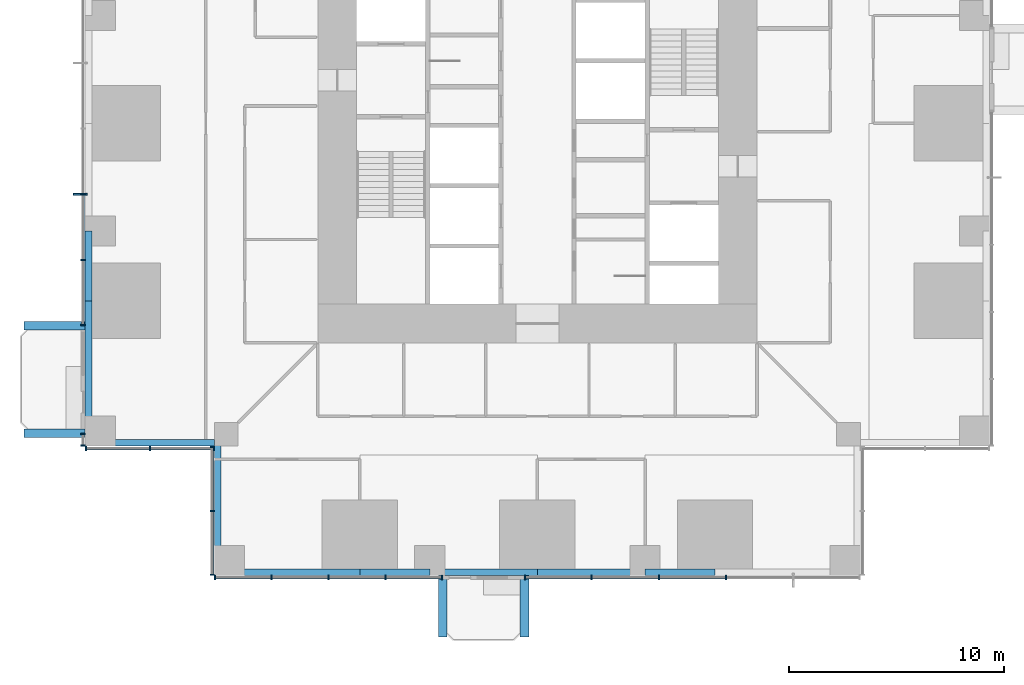
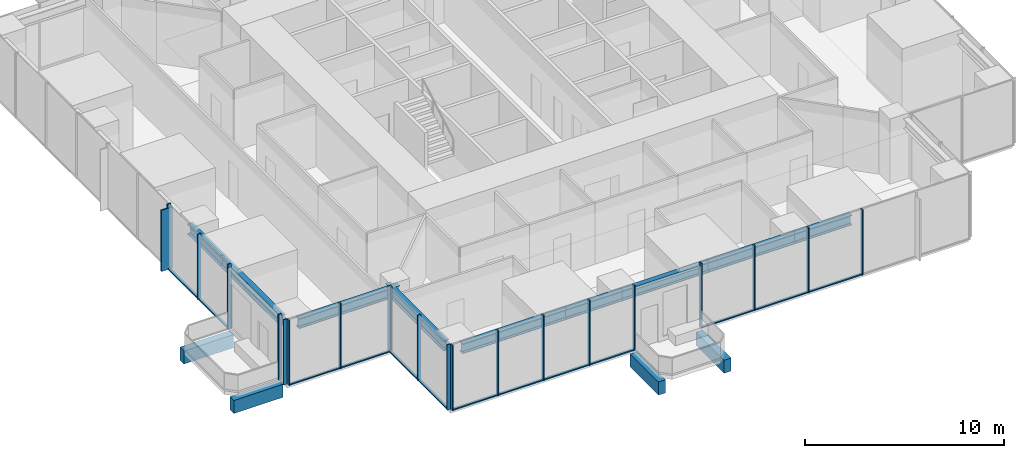
# One storey, part 2 of 18: 34 members, 13 beams, 6 elements without a shape of their own.
"""IFC4 building model written with IfcOpenShell, lengths in metres."""

from ifc_helpers import new_model, si_unit, direction, frame, origin, origin_2d, place, context, subcontext, project, spatial, rectangle, i_section, extrude, material, material_profile, profile_set, type_object, element, aggregate, save


model = new_model("IFC4")

# Units and contexts
model_context = context("Model", 3, precision=1e-05, world=origin(), true_north=direction((0.0, 1.0)))
body_context = subcontext(model_context, "Body", "Model", "MODEL_VIEW")
ifc_project = project(units=[si_unit("LENGTHUNIT", "METRE"), si_unit("AREAUNIT", "SQUARE_METRE"), si_unit("VOLUMEUNIT", "CUBIC_METRE"), si_unit("PLANEANGLEUNIT", "RADIAN"), si_unit("MASSUNIT", "GRAM", prefix="KILO")], contexts=[model_context])

# Site, building, storey
site_placement = place(None, origin())
site = spatial("IfcSite", under=ifc_project, at=site_placement, CompositionType="ELEMENT")
building_placement = place(site_placement, origin())
building = spatial("IfcBuilding", under=site, at=building_placement, Name="Svetlomir Tower", CompositionType="ELEMENT")
storey_placement = place(building_placement, frame((0.0, 0.0, 46.5)))
storey = spatial("IfcBuildingStorey", under=building, at=storey_placement, Name="L10", CompositionType="ELEMENT", Elevation=46.5)

# Beams
ifc_material_1 = material(Name="Concrete C60/75", Category="concrete")
ifc_material_profile_1 = material_profile(ifc_material_1, rectangle(XDim=0.39990234375, YDim=0.800048828125, at=origin_2d()), Name="RC 400x800")
ifc_profile_set_1 = profile_set([ifc_material_profile_1], Name="Concrete C60/75")
beam_type_1 = type_object("IfcBeamType", Name="BALCONY RIB RC 400x800", PredefinedType="BEAM", material=ifc_profile_set_1)
for number, where, z_axis, x_axis, name in (
    (1, (16.60009765625, 0.0, -0.64990234375), (0.0, -1.0, 0.0), (1.0, 0.0, 0.0), "Balcony rib S 1 L10"),
    (2, (20.39990234375, 0.0, -0.64990234375), (0.0, -1.0, 0.0), (1.0, 0.0, 0.0), "Balcony rib S 2 L10"),
    (3, (0.0, 6.60009765625, -0.64990234375), (-1.0, 0.0, 0.0), (0.0, -1.0, 0.0), "Balcony rib W 1 L10"),
    (4, (0.0, 11.60009765625, -0.64990234375), (-1.0, 0.0, 0.0), (0.0, -1.0, 0.0), "Balcony rib W 2 L10"),
):
    element("IfcBeam", number, at=place(storey_placement, frame(where, z_axis=z_axis, x_axis=x_axis)), inside=storey, type_object=beam_type_1, Name=name, PredefinedType="BEAM", context=body_context, shape_type="SweptSolid", body=[
        extrude(rectangle(XDim=0.39990234375, YDim=0.800048828125, at=origin_2d()), origin(), (0.0, 0.0, 1.0), 2.85009765625),
    ])

# Curtain wall, member
ifc_material_2 = material(Name="Bronze anodised aluminium curtain wall", Category="aluminium")
curtain_wall_type = type_object("IfcCurtainWallType", Name="CURTAIN WALL CW1 TOWER OFFICE", PredefinedType="NOTDEFINED", material=ifc_material_2)
curtain_wall_1_placement = place(storey_placement, origin())
curtain_wall_1 = element("IfcCurtainWall", 5, at=curtain_wall_1_placement, inside=storey, type_object=curtain_wall_type, Name="Curtain wall CW1 L10", PredefinedType="NOTDEFINED")
ifc_material_3 = material(Name="Bronze anodised aluminium", Category="aluminium")
ifc_material_profile_2 = material_profile(ifc_material_3, rectangle(XDim=0.080078125, YDim=0.64990234375, at=origin_2d()), Name="FIN 80x650")
ifc_profile_set_2 = profile_set([ifc_material_profile_2], Name="Bronze anodised aluminium 6063-T6")
member_type_1 = type_object("IfcMemberType", Name="BRONZE FIN 80x650", PredefinedType="USERDEFINED", material=ifc_profile_set_2)
member_1_placement = place(storey_placement, frame((-0.22509765625, 17.699951171875, 0.0), z_axis=(0.0, 0.0, 1.0), x_axis=(0.0, 1.0, 0.0)))
member_1 = element("IfcMember", 6, at=member_1_placement, type_object=member_type_1, Name="Bronze fin L10", ObjectType="FIN", PredefinedType="USERDEFINED", context=body_context, shape_type="SweptSolid", body=[
    extrude(rectangle(XDim=0.080078125, YDim=0.64990234375, at=origin_2d()), origin(), (0.0, 0.0, 1.0), 3.75),
])

# Curtain wall, members
curtain_wall_2_placement = place(storey_placement, origin())
curtain_wall_2 = element("IfcCurtainWall", 7, at=curtain_wall_2_placement, inside=storey, type_object=curtain_wall_type, Name="Curtain wall CW1 L10", PredefinedType="NOTDEFINED")
ifc_material_4 = material(Name="Bronze anodised aluminium", Category="aluminium")
ifc_material_profile_3 = material_profile(ifc_material_4, rectangle(XDim=0.06494140625, YDim=0.199951171875, at=origin_2d()), Name="AL 65x200")
ifc_profile_set_3 = profile_set([ifc_material_profile_3], Name="Bronze anodised aluminium 6063-T6")
member_type_2 = type_object("IfcMemberType", Name="CW1 MULLION 65x200", PredefinedType="MULLION", material=ifc_profile_set_3)
member_2_placement = place(storey_placement, frame((6.032470703125, -0.10009765625, 0.0), z_axis=(0.0, 0.0, 1.0), x_axis=(1.0, 0.0, 0.0)))
member_2 = element("IfcMember", 8, at=member_2_placement, type_object=member_type_2, Name="CW1 mullion 1", PredefinedType="MULLION", context=body_context, shape_type="SweptSolid", body=[
    extrude(rectangle(XDim=0.06494140625, YDim=0.199951171875, at=origin_2d()), origin(), (0.0, 0.0, 1.0), 4.0),
])
member_3_placement = place(storey_placement, frame((8.64990234375, -0.10009765625, 0.0), z_axis=(0.0, 0.0, 1.0), x_axis=(1.0, 0.0, 0.0)))
member_3 = element("IfcMember", 9, at=member_3_placement, type_object=member_type_2, Name="CW1 mullion 2", PredefinedType="MULLION", context=body_context, shape_type="SweptSolid", body=[
    extrude(rectangle(XDim=0.06494140625, YDim=0.199951171875, at=origin_2d()), origin(), (0.0, 0.0, 1.0), 4.0),
])
member_4_placement = place(storey_placement, frame((11.300048828125, -0.10009765625, 0.0), z_axis=(0.0, 0.0, 1.0), x_axis=(1.0, 0.0, 0.0)))
member_4 = element("IfcMember", 10, at=member_4_placement, type_object=member_type_2, Name="CW1 mullion 3", PredefinedType="MULLION", context=body_context, shape_type="SweptSolid", body=[
    extrude(rectangle(XDim=0.06494140625, YDim=0.199951171875, at=origin_2d()), origin(), (0.0, 0.0, 1.0), 4.0),
])
member_5_placement = place(storey_placement, frame((13.949951171875, -0.10009765625, 0.0), z_axis=(0.0, 0.0, 1.0), x_axis=(1.0, 0.0, 0.0)))
member_5 = element("IfcMember", 11, at=member_5_placement, type_object=member_type_2, Name="CW1 mullion 4", PredefinedType="MULLION", context=body_context, shape_type="SweptSolid", body=[
    extrude(rectangle(XDim=0.06494140625, YDim=0.199951171875, at=origin_2d()), origin(), (0.0, 0.0, 1.0), 4.0),
])
member_6_placement = place(storey_placement, frame((16.5673828125, -0.10009765625, 0.0), z_axis=(0.0, 0.0, 1.0), x_axis=(1.0, 0.0, 0.0)))
member_6 = element("IfcMember", 12, at=member_6_placement, type_object=member_type_2, Name="CW1 mullion 5", PredefinedType="MULLION", context=body_context, shape_type="SweptSolid", body=[
    extrude(rectangle(XDim=0.06494140625, YDim=0.199951171875, at=origin_2d()), origin(), (0.0, 0.0, 1.0), 4.0),
])

curtain_wall_3_placement = place(storey_placement, origin())
curtain_wall_3 = element("IfcCurtainWall", 13, at=curtain_wall_3_placement, inside=storey, type_object=curtain_wall_type, Name="Curtain wall CW1 L10", PredefinedType="NOTDEFINED")
member_7_placement = place(storey_placement, frame((20.4326171875, -0.10009765625, 0.0), z_axis=(0.0, 0.0, 1.0), x_axis=(1.0, 0.0, 0.0)))
member_7 = element("IfcMember", 14, at=member_7_placement, type_object=member_type_2, Name="CW1 mullion 1", PredefinedType="MULLION", context=body_context, shape_type="SweptSolid", body=[
    extrude(rectangle(XDim=0.06494140625, YDim=0.199951171875, at=origin_2d()), origin(), (0.0, 0.0, 1.0), 4.0),
])
member_8_placement = place(storey_placement, frame((23.52001953125, -0.10009765625, 0.0), z_axis=(0.0, 0.0, 1.0), x_axis=(1.0, 0.0, 0.0)))
member_8 = element("IfcMember", 15, at=member_8_placement, type_object=member_type_2, Name="CW1 mullion 2", PredefinedType="MULLION", context=body_context, shape_type="SweptSolid", body=[
    extrude(rectangle(XDim=0.06494140625, YDim=0.199951171875, at=origin_2d()), origin(), (0.0, 0.0, 1.0), 4.0),
])
member_9_placement = place(storey_placement, frame((26.639892578125, -0.10009765625, 0.0), z_axis=(0.0, 0.0, 1.0), x_axis=(1.0, 0.0, 0.0)))
member_9 = element("IfcMember", 16, at=member_9_placement, type_object=member_type_2, Name="CW1 mullion 3", PredefinedType="MULLION", context=body_context, shape_type="SweptSolid", body=[
    extrude(rectangle(XDim=0.06494140625, YDim=0.199951171875, at=origin_2d()), origin(), (0.0, 0.0, 1.0), 4.0),
])
member_10_placement = place(storey_placement, frame((29.760009765625, -0.10009765625, 0.0), z_axis=(0.0, 0.0, 1.0), x_axis=(1.0, 0.0, 0.0)))
member_10 = element("IfcMember", 17, at=member_10_placement, type_object=member_type_2, Name="CW1 mullion 4", PredefinedType="MULLION", context=body_context, shape_type="SweptSolid", body=[
    extrude(rectangle(XDim=0.06494140625, YDim=0.199951171875, at=origin_2d()), origin(), (0.0, 0.0, 1.0), 4.0),
])

# Member
member_11_placement = place(storey_placement, frame((-0.10009765625, 17.699951171875, 0.0), z_axis=(0.0, 0.0, 1.0), x_axis=(0.0, -1.0, 0.0)))
member_11 = element("IfcMember", 18, at=member_11_placement, type_object=member_type_2, Name="CW1 mullion 7", PredefinedType="MULLION", context=body_context, shape_type="SweptSolid", body=[
    extrude(rectangle(XDim=0.06494140625, YDim=0.199951171875, at=origin_2d()), origin(), (0.0, 0.0, 1.0), 4.0),
])

member_12_placement = place(storey_placement, frame((-0.10009765625, 14.64990234375, 0.0), z_axis=(0.0, 0.0, 1.0), x_axis=(0.0, -1.0, 0.0)))
member_12 = element("IfcMember", 19, at=member_12_placement, type_object=member_type_2, Name="CW1 mullion 8", PredefinedType="MULLION", context=body_context, shape_type="SweptSolid", body=[
    extrude(rectangle(XDim=0.06494140625, YDim=0.199951171875, at=origin_2d()), origin(), (0.0, 0.0, 1.0), 4.0),
])

member_13_placement = place(storey_placement, frame((-0.10009765625, 11.632568359375, 0.0), z_axis=(0.0, 0.0, 1.0), x_axis=(0.0, -1.0, 0.0)))
member_13 = element("IfcMember", 20, at=member_13_placement, type_object=member_type_2, Name="CW1 mullion 9", PredefinedType="MULLION", context=body_context, shape_type="SweptSolid", body=[
    extrude(rectangle(XDim=0.06494140625, YDim=0.199951171875, at=origin_2d()), origin(), (0.0, 0.0, 1.0), 4.0),
])

# Curtain wall, members
curtain_wall_4_placement = place(storey_placement, origin())
curtain_wall_4 = element("IfcCurtainWall", 21, at=curtain_wall_4_placement, inside=storey, type_object=curtain_wall_type, Name="Curtain wall CW1 L10", PredefinedType="NOTDEFINED")
member_14_placement = place(storey_placement, frame((-0.10009765625, 6.5673828125, 0.0), z_axis=(0.0, 0.0, 1.0), x_axis=(0.0, -1.0, 0.0)))
member_14 = element("IfcMember", 22, at=member_14_placement, type_object=member_type_2, Name="CW1 mullion 1", PredefinedType="MULLION", context=body_context, shape_type="SweptSolid", body=[
    extrude(rectangle(XDim=0.06494140625, YDim=0.199951171875, at=origin_2d()), origin(), (0.0, 0.0, 1.0), 4.0),
])
member_15_placement = place(storey_placement, frame((-0.10009765625, 6.032470703125, 0.0), z_axis=(0.0, 0.0, 1.0), x_axis=(0.0, -1.0, 0.0)))
member_15 = element("IfcMember", 23, at=member_15_placement, type_object=member_type_2, Name="CW1 mullion 2", PredefinedType="MULLION", context=body_context, shape_type="SweptSolid", body=[
    extrude(rectangle(XDim=0.06494140625, YDim=0.199951171875, at=origin_2d()), origin(), (0.0, 0.0, 1.0), 4.0),
])
aggregate(curtain_wall_4, [member_14, member_15])

curtain_wall_5_placement = place(storey_placement, origin())
curtain_wall_5 = element("IfcCurtainWall", 24, at=curtain_wall_5_placement, inside=storey, type_object=curtain_wall_type, Name="Curtain wall CW1 L10", PredefinedType="NOTDEFINED")
member_16_placement = place(storey_placement, frame((0.032470703125, 5.89990234375, 0.0), z_axis=(0.0, 0.0, 1.0), x_axis=(1.0, 0.0, 0.0)))
member_16 = element("IfcMember", 25, at=member_16_placement, type_object=member_type_2, Name="CW1 mullion 1", PredefinedType="MULLION", context=body_context, shape_type="SweptSolid", body=[
    extrude(rectangle(XDim=0.06494140625, YDim=0.199951171875, at=origin_2d()), origin(), (0.0, 0.0, 1.0), 4.0),
])
member_17_placement = place(storey_placement, frame((3.0, 5.89990234375, 0.0), z_axis=(0.0, 0.0, 1.0), x_axis=(1.0, 0.0, 0.0)))
member_17 = element("IfcMember", 26, at=member_17_placement, type_object=member_type_2, Name="CW1 mullion 2", PredefinedType="MULLION", context=body_context, shape_type="SweptSolid", body=[
    extrude(rectangle(XDim=0.06494140625, YDim=0.199951171875, at=origin_2d()), origin(), (0.0, 0.0, 1.0), 4.0),
])
member_18_placement = place(storey_placement, frame((5.967529296875, 5.89990234375, 0.0), z_axis=(0.0, 0.0, 1.0), x_axis=(1.0, 0.0, 0.0)))
member_18 = element("IfcMember", 27, at=member_18_placement, type_object=member_type_2, Name="CW1 mullion 3", PredefinedType="MULLION", context=body_context, shape_type="SweptSolid", body=[
    extrude(rectangle(XDim=0.06494140625, YDim=0.199951171875, at=origin_2d()), origin(), (0.0, 0.0, 1.0), 4.0),
])

curtain_wall_6_placement = place(storey_placement, origin())
curtain_wall_6 = element("IfcCurtainWall", 28, at=curtain_wall_6_placement, inside=storey, type_object=curtain_wall_type, Name="Curtain wall CW1 L10", PredefinedType="NOTDEFINED")
member_19_placement = place(storey_placement, frame((5.89990234375, 5.967529296875, 0.0), z_axis=(0.0, 0.0, 1.0), x_axis=(0.0, -1.0, 0.0)))
member_19 = element("IfcMember", 29, at=member_19_placement, type_object=member_type_2, Name="CW1 mullion 1", PredefinedType="MULLION", context=body_context, shape_type="SweptSolid", body=[
    extrude(rectangle(XDim=0.06494140625, YDim=0.199951171875, at=origin_2d()), origin(), (0.0, 0.0, 1.0), 4.0),
])
member_20_placement = place(storey_placement, frame((5.89990234375, 3.0, 0.0), z_axis=(0.0, 0.0, 1.0), x_axis=(0.0, -1.0, 0.0)))
member_20 = element("IfcMember", 30, at=member_20_placement, type_object=member_type_2, Name="CW1 mullion 2", PredefinedType="MULLION", context=body_context, shape_type="SweptSolid", body=[
    extrude(rectangle(XDim=0.06494140625, YDim=0.199951171875, at=origin_2d()), origin(), (0.0, 0.0, 1.0), 4.0),
])
member_21_placement = place(storey_placement, frame((5.89990234375, 0.032470703125, 0.0), z_axis=(0.0, 0.0, 1.0), x_axis=(0.0, -1.0, 0.0)))
member_21 = element("IfcMember", 31, at=member_21_placement, type_object=member_type_2, Name="CW1 mullion 3", PredefinedType="MULLION", context=body_context, shape_type="SweptSolid", body=[
    extrude(rectangle(XDim=0.06494140625, YDim=0.199951171875, at=origin_2d()), origin(), (0.0, 0.0, 1.0), 4.0),
])

# Member
ifc_material_5 = material(Name="Bronze anodised aluminium", Category="aluminium")
ifc_material_profile_4 = material_profile(ifc_material_5, rectangle(XDim=0.139892578125, YDim=0.06494140625, at=origin_2d()), Name="AL 140x65")
ifc_profile_set_4 = profile_set([ifc_material_profile_4], Name="Bronze anodised aluminium 6063-T6")
member_type_3 = type_object("IfcMemberType", Name="CW1 TRANSOM 65x140", PredefinedType="USERDEFINED", material=ifc_profile_set_4)
member_22_placement = place(storey_placement, frame((6.06494140625, -0.10009765625, 0.032470703125), z_axis=(1.0, 0.0, 0.0), x_axis=(0.0, 1.0, 0.0)))
member_22 = element("IfcMember", 32, at=member_22_placement, type_object=member_type_3, Name="CW1 transom 1.1", ObjectType="TRANSOM", PredefinedType="USERDEFINED", context=body_context, shape_type="SweptSolid", body=[
    extrude(rectangle(XDim=0.139892578125, YDim=0.06494140625, at=origin_2d()), origin(), (0.0, 0.0, 1.0), 2.552490234375),
])

member_23_placement = place(storey_placement, frame((8.6826171875, -0.10009765625, 0.032470703125), z_axis=(1.0, 0.0, 0.0), x_axis=(0.0, 1.0, 0.0)))
member_23 = element("IfcMember", 33, at=member_23_placement, type_object=member_type_3, Name="CW1 transom 2.1", ObjectType="TRANSOM", PredefinedType="USERDEFINED", context=body_context, shape_type="SweptSolid", body=[
    extrude(rectangle(XDim=0.139892578125, YDim=0.06494140625, at=origin_2d()), origin(), (0.0, 0.0, 1.0), 2.5849609375),
])

member_24_placement = place(storey_placement, frame((11.33251953125, -0.10009765625, 0.032470703125), z_axis=(1.0, 0.0, 0.0), x_axis=(0.0, 1.0, 0.0)))
member_24 = element("IfcMember", 34, at=member_24_placement, type_object=member_type_3, Name="CW1 transom 3.1", ObjectType="TRANSOM", PredefinedType="USERDEFINED", context=body_context, shape_type="SweptSolid", body=[
    extrude(rectangle(XDim=0.139892578125, YDim=0.06494140625, at=origin_2d()), origin(), (0.0, 0.0, 1.0), 2.5849609375),
])

member_25_placement = place(storey_placement, frame((13.982421875, -0.10009765625, 0.032470703125), z_axis=(1.0, 0.0, 0.0), x_axis=(0.0, 1.0, 0.0)))
member_25 = element("IfcMember", 35, at=member_25_placement, type_object=member_type_3, Name="CW1 transom 4.1", ObjectType="TRANSOM", PredefinedType="USERDEFINED", context=body_context, shape_type="SweptSolid", body=[
    extrude(rectangle(XDim=0.139892578125, YDim=0.06494140625, at=origin_2d()), origin(), (0.0, 0.0, 1.0), 2.552490234375),
])

aggregate(curtain_wall_2, [member_2, member_3, member_4, member_5, member_6, member_22, member_23, member_24, member_25])

member_26_placement = place(storey_placement, frame((20.465087890625, -0.10009765625, 0.032470703125), z_axis=(1.0, 0.0, 0.0), x_axis=(0.0, 1.0, 0.0)))
member_26 = element("IfcMember", 36, at=member_26_placement, type_object=member_type_3, Name="CW1 transom 1.1", ObjectType="TRANSOM", PredefinedType="USERDEFINED", context=body_context, shape_type="SweptSolid", body=[
    extrude(rectangle(XDim=0.139892578125, YDim=0.06494140625, at=origin_2d()), origin(), (0.0, 0.0, 1.0), 3.0224609375),
])

member_27_placement = place(storey_placement, frame((23.552490234375, -0.10009765625, 0.032470703125), z_axis=(1.0, 0.0, 0.0), x_axis=(0.0, 1.0, 0.0)))
member_27 = element("IfcMember", 37, at=member_27_placement, type_object=member_type_3, Name="CW1 transom 2.1", ObjectType="TRANSOM", PredefinedType="USERDEFINED", context=body_context, shape_type="SweptSolid", body=[
    extrude(rectangle(XDim=0.139892578125, YDim=0.06494140625, at=origin_2d()), origin(), (0.0, 0.0, 1.0), 3.054931640625),
])

member_28_placement = place(storey_placement, frame((26.672607421875, -0.10009765625, 0.032470703125), z_axis=(1.0, 0.0, 0.0), x_axis=(0.0, 1.0, 0.0)))
member_28 = element("IfcMember", 38, at=member_28_placement, type_object=member_type_3, Name="CW1 transom 3.1", ObjectType="TRANSOM", PredefinedType="USERDEFINED", context=body_context, shape_type="SweptSolid", body=[
    extrude(rectangle(XDim=0.139892578125, YDim=0.06494140625, at=origin_2d()), origin(), (0.0, 0.0, 1.0), 3.054931640625),
])

aggregate(curtain_wall_3, [member_7, member_8, member_9, member_10, member_26, member_27, member_28])

member_29_placement = place(storey_placement, frame((-0.10009765625, 17.66748046875, 0.032470703125), z_axis=(0.0, -1.0, 0.0), x_axis=(1.0, 0.0, 0.0)))
member_29 = element("IfcMember", 39, at=member_29_placement, type_object=member_type_3, Name="CW1 transom 7.1", ObjectType="TRANSOM", PredefinedType="USERDEFINED", context=body_context, shape_type="SweptSolid", body=[
    extrude(rectangle(XDim=0.139892578125, YDim=0.06494140625, at=origin_2d()), origin(), (0.0, 0.0, 1.0), 2.98486328125),
])

member_30_placement = place(storey_placement, frame((-0.10009765625, 14.617431640625, 0.032470703125), z_axis=(0.0, -1.0, 0.0), x_axis=(1.0, 0.0, 0.0)))
member_30 = element("IfcMember", 40, at=member_30_placement, type_object=member_type_3, Name="CW1 transom 8.1", ObjectType="TRANSOM", PredefinedType="USERDEFINED", context=body_context, shape_type="SweptSolid", body=[
    extrude(rectangle(XDim=0.139892578125, YDim=0.06494140625, at=origin_2d()), origin(), (0.0, 0.0, 1.0), 2.952392578125),
])

aggregate(curtain_wall_1, [member_11, member_12, member_13, member_29, member_30, member_1])

member_31_placement = place(storey_placement, frame((0.06494140625, 5.89990234375, 0.032470703125), z_axis=(1.0, 0.0, 0.0), x_axis=(0.0, 1.0, 0.0)))
member_31 = element("IfcMember", 41, at=member_31_placement, type_object=member_type_3, Name="CW1 transom 1.1", ObjectType="TRANSOM", PredefinedType="USERDEFINED", context=body_context, shape_type="SweptSolid", body=[
    extrude(rectangle(XDim=0.139892578125, YDim=0.06494140625, at=origin_2d()), origin(), (0.0, 0.0, 1.0), 2.902587890625),
])

member_32_placement = place(storey_placement, frame((3.032470703125, 5.89990234375, 0.032470703125), z_axis=(1.0, 0.0, 0.0), x_axis=(0.0, 1.0, 0.0)))
member_32 = element("IfcMember", 42, at=member_32_placement, type_object=member_type_3, Name="CW1 transom 2.1", ObjectType="TRANSOM", PredefinedType="USERDEFINED", context=body_context, shape_type="SweptSolid", body=[
    extrude(rectangle(XDim=0.139892578125, YDim=0.06494140625, at=origin_2d()), origin(), (0.0, 0.0, 1.0), 2.902587890625),
])

aggregate(curtain_wall_5, [member_16, member_17, member_18, member_31, member_32])

member_33_placement = place(storey_placement, frame((5.89990234375, 5.93505859375, 0.032470703125), z_axis=(0.0, -1.0, 0.0), x_axis=(1.0, 0.0, 0.0)))
member_33 = element("IfcMember", 43, at=member_33_placement, type_object=member_type_3, Name="CW1 transom 1.1", ObjectType="TRANSOM", PredefinedType="USERDEFINED", context=body_context, shape_type="SweptSolid", body=[
    extrude(rectangle(XDim=0.139892578125, YDim=0.06494140625, at=origin_2d()), origin(), (0.0, 0.0, 1.0), 2.902587890625),
])

member_34_placement = place(storey_placement, frame((5.89990234375, 2.967529296875, 0.032470703125), z_axis=(0.0, -1.0, 0.0), x_axis=(1.0, 0.0, 0.0)))
member_34 = element("IfcMember", 44, at=member_34_placement, type_object=member_type_3, Name="CW1 transom 2.1", ObjectType="TRANSOM", PredefinedType="USERDEFINED", context=body_context, shape_type="SweptSolid", body=[
    extrude(rectangle(XDim=0.139892578125, YDim=0.06494140625, at=origin_2d()), origin(), (0.0, 0.0, 1.0), 2.902587890625),
])

aggregate(curtain_wall_6, [member_19, member_20, member_21, member_33, member_34])

# Beams
ifc_material_6 = material(Name="Steel S355", Category="steel")
ifc_material_profile_5 = material_profile(ifc_material_6, i_section(OverallWidth=0.304931640625, OverallDepth=0.6201171875, WebThickness=0.02099609375, FlangeThickness=0.0400390625, FilletRadius=0.027099609375, at=origin_2d()), Name="HEM 600")
ifc_profile_set_5 = profile_set([ifc_material_profile_5], Name="Steel S355")
beam_type_2 = type_object("IfcBeamType", Name="EDGE BEAM HEM 600", PredefinedType="SPANDREL", material=ifc_profile_set_5)
for number, where, z_axis, x_axis, name in (
    (45, (6.699951171875, 0.152587890625, 3.43994140625), (1.0, 0.0, 0.0), (0.0, 1.0, 0.0), "Edge beam 6/0 to 11/0 under L11"),
    (46, (0.152587890625, 6.699951171875, 3.43994140625), (0.0, 1.0, 0.0), (-1.0, 0.0, 0.0), "Edge beam 0/6 to 0/11 under L11"),
):
    element("IfcBeam", number, at=place(storey_placement, frame(where, z_axis=z_axis, x_axis=x_axis)), inside=storey, type_object=beam_type_2, Name=name, PredefinedType="SPANDREL", context=body_context, shape_type="SweptSolid", body=[
        extrude(i_section(OverallWidth=0.304931640625, OverallDepth=0.6201171875, WebThickness=0.02099609375, FlangeThickness=0.0400390625, FilletRadius=0.027099609375, at=origin_2d()), origin(), (0.0, 0.0, 1.0), 6.050048828125),
    ])
for number, where, z_axis, x_axis, name in (
    (47, (12.75, 0.152587890625, 3.43994140625), (1.0, 0.0, 0.0), (0.0, 1.0, 0.0), "Edge beam 11/0 to 16/0 under L11"),
    (48, (0.152587890625, 12.75, 3.43994140625), (0.0, 1.0, 0.0), (-1.0, 0.0, 0.0), "Edge beam 0/11 to 0/16 under L11"),
):
    element("IfcBeam", number, at=place(storey_placement, frame(where, z_axis=z_axis, x_axis=x_axis)), inside=storey, type_object=beam_type_2, Name=name, PredefinedType="SPANDREL", context=body_context, shape_type="SweptSolid", body=[
        extrude(i_section(OverallWidth=0.304931640625, OverallDepth=0.6201171875, WebThickness=0.02099609375, FlangeThickness=0.0400390625, FilletRadius=0.027099609375, at=origin_2d()), origin(), (0.0, 0.0, 1.0), 3.25),
    ])
for number, where, z_axis, x_axis, name in (
    (49, (16.0, 0.152587890625, 3.43994140625), (1.0, 0.0, 0.0), (0.0, 1.0, 0.0), "Edge beam 16/0 to 21/0 under L11"),
    (50, (21.0, 0.152587890625, 3.43994140625), (1.0, 0.0, 0.0), (0.0, 1.0, 0.0), "Edge beam 21/0 to 26/0 under L11"),
):
    element("IfcBeam", number, at=place(storey_placement, frame(where, z_axis=z_axis, x_axis=x_axis)), inside=storey, type_object=beam_type_2, Name=name, PredefinedType="SPANDREL", context=body_context, shape_type="SweptSolid", body=[
        extrude(i_section(OverallWidth=0.304931640625, OverallDepth=0.6201171875, WebThickness=0.02099609375, FlangeThickness=0.0400390625, FilletRadius=0.027099609375, at=origin_2d()), origin(), (0.0, 0.0, 1.0), 5.0),
    ])
beam_placement = place(storey_placement, frame((26.0, 0.152587890625, 3.43994140625), z_axis=(1.0, 0.0, 0.0), x_axis=(0.0, 1.0, 0.0)))
element("IfcBeam", 51, at=beam_placement, inside=storey, type_object=beam_type_2, Name="Edge beam 26/0 to 31/0 under L11", PredefinedType="SPANDREL", context=body_context, shape_type="SweptSolid", body=[
    extrude(i_section(OverallWidth=0.304931640625, OverallDepth=0.6201171875, WebThickness=0.02099609375, FlangeThickness=0.0400390625, FilletRadius=0.027099609375, at=origin_2d()), origin(), (0.0, 0.0, 1.0), 3.25),
])
for number, where, z_axis, x_axis, name in (
    (52, (6.152587890625, 0.699951171875, 3.43994140625), (0.0, 1.0, 0.0), (-1.0, 0.0, 0.0), "Edge beam 6/0 to 6/6 under L11"),
    (53, (0.699951171875, 6.152587890625, 3.43994140625), (1.0, 0.0, 0.0), (0.0, 1.0, 0.0), "Edge beam 0/6 to 6/6 under L11"),
):
    element("IfcBeam", number, at=place(storey_placement, frame(where, z_axis=z_axis, x_axis=x_axis)), inside=storey, type_object=beam_type_2, Name=name, PredefinedType="SPANDREL", context=body_context, shape_type="SweptSolid", body=[
        extrude(i_section(OverallWidth=0.304931640625, OverallDepth=0.6201171875, WebThickness=0.02099609375, FlangeThickness=0.0400390625, FilletRadius=0.027099609375, at=origin_2d()), origin(), (0.0, 0.0, 1.0), 5.85009765625),
    ])

save(model, "model.ifc")
